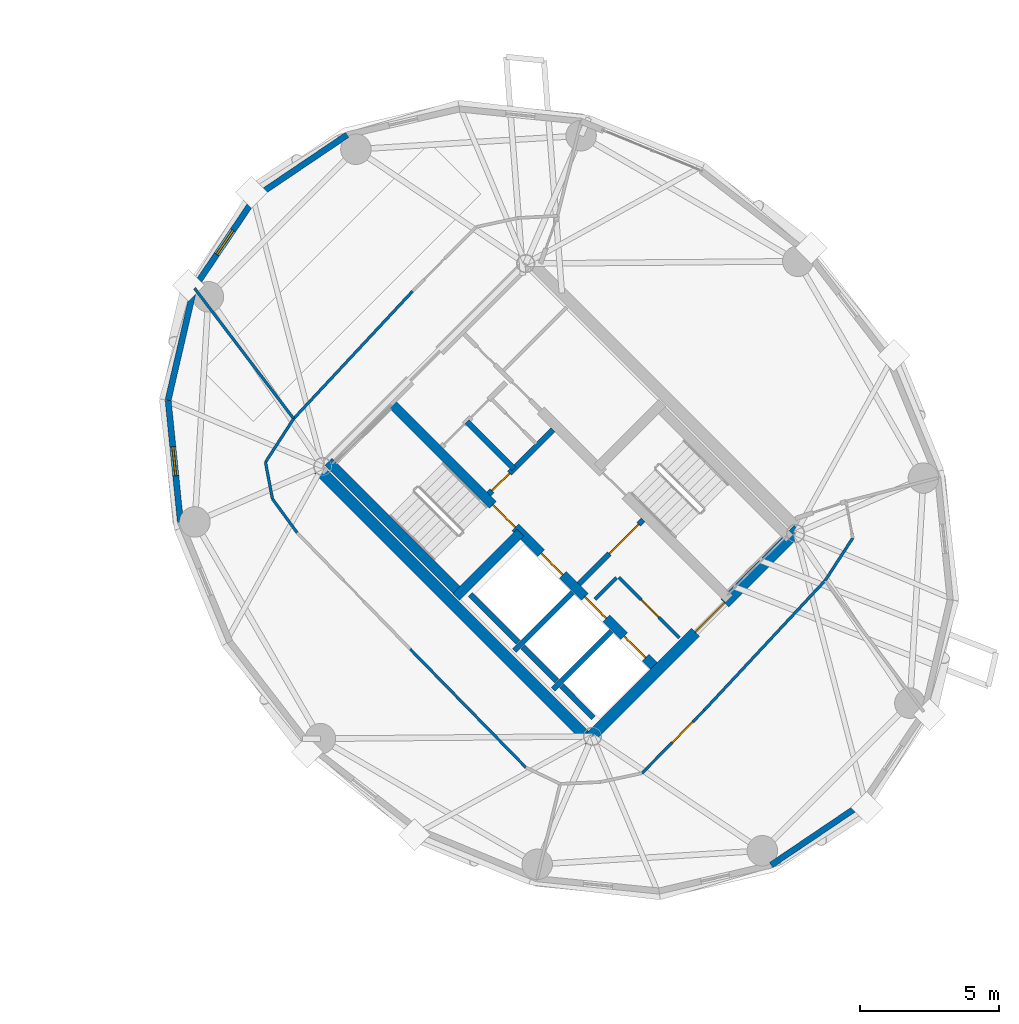
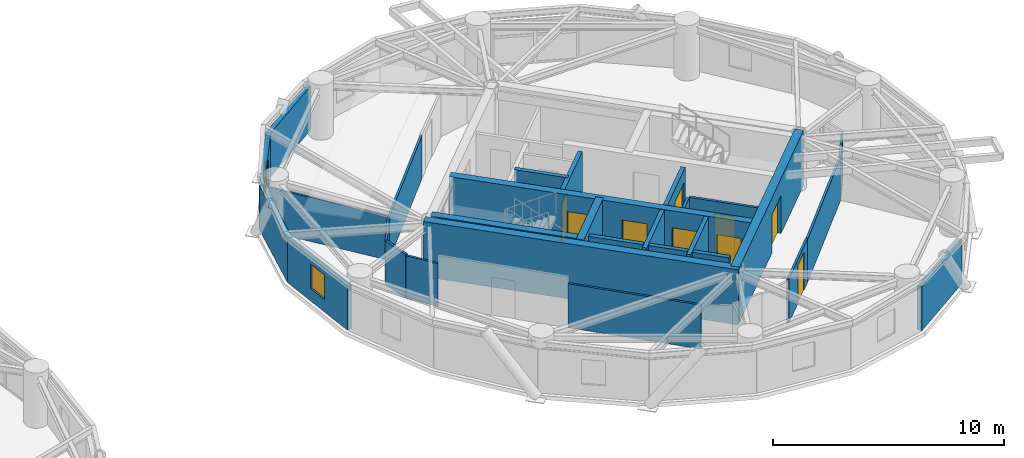
# One storey, part 10 of 14: 29 walls, 9 doors, 2 windows, 11 openings.
"""IFC4 building model written with IfcOpenShell, lengths in metres."""

from ifc_helpers import new_model, si_unit, direction, frame, frame_2d, origin, place, context, subcontext, project, spatial, rectangle, extrude, source, transform, mapped, material, layer, layer_set, type_object, element, fill, save


model = new_model("IFC4")

# Units and contexts
model_context = context("Model", 3, precision=1e-05, world=origin(), true_north=direction((0.0, 1.0)))
body_context = subcontext(model_context, "Body", "Model", "MODEL_VIEW")
ifc_project = project(units=[si_unit("LENGTHUNIT", "METRE"), si_unit("AREAUNIT", "SQUARE_METRE"), si_unit("VOLUMEUNIT", "CUBIC_METRE"), si_unit("PLANEANGLEUNIT", "RADIAN"), si_unit("MASSUNIT", "GRAM", prefix="KILO")], contexts=[model_context])

# Site, building, storey
site_placement = place(None, origin())
site = spatial("IfcSite", under=ifc_project, at=site_placement, CompositionType="ELEMENT")
building_placement = place(site_placement, origin())
building = spatial("IfcBuilding", under=site, at=building_placement, Name="Cununo Teusaquillo Station Towers", CompositionType="ELEMENT")
storey_placement = place(building_placement, frame((0.0, 0.0, 202.47998046875)))
storey = spatial("IfcBuildingStorey", under=building, at=storey_placement, Name="L64", CompositionType="ELEMENT", Elevation=202.47998046875)

# Walls
ifc_material_1 = material(Name="Concrete C50/60", Category="concrete")
ifc_layer_1 = layer(ifc_material_1, 0.199951171875)
ifc_layer_set_1 = layer_set([ifc_layer_1], Name="Concrete C50/60")
wall_type_1 = type_object("IfcWallType", Name="WL-CORE-200", PredefinedType="SHEAR", material=ifc_layer_set_1)
wall_1_placement = place(storey_placement, frame((55.8876953125, 19.0693359375, 0.0), z_axis=(0.0, 0.0, 1.0), x_axis=(0.707106781187, 0.707106781187, 0.0)))
element("IfcWall", 1, at=wall_1_placement, inside=storey, type_object=wall_type_1, Name="L64 Tower B Firefighting Lift Shaft South Shear Wall", PredefinedType="SHEAR", context=body_context, shape_type="SweptSolid", body=[
    extrude(rectangle(XDim=2.969970703125, YDim=0.199951171875, at=frame_2d((1.48486328125, 0.0))), origin(), (0.0, 0.0, 1.0), 2.909912109375),
])
wall_2_placement = place(storey_placement, frame((56.01513671875, 19.366455078125, 0.0), z_axis=(0.0, 0.0, 1.0), x_axis=(-0.707106781187, 0.707106781187, 0.0)))
element("IfcWall", 2, at=wall_2_placement, inside=storey, type_object=wall_type_1, Name="L64 Tower B Firefighting Lift Shaft Rear Shear Wall", PredefinedType="SHEAR", context=body_context, shape_type="SweptSolid", body=[
    extrude(rectangle(XDim=2.43994140625, YDim=0.199951171875, at=frame_2d((1.219970703125, 0.0))), origin(), (0.0, 0.0, 1.0), 2.909912109375),
])
wall_3_placement = place(storey_placement, frame((57.2841796875, 17.6728515625, 0.0), z_axis=(0.0, 0.0, 1.0), x_axis=(0.707147878904, 0.70706568108, 0.0)))
element("IfcWall", 3, at=wall_3_placement, inside=storey, type_object=wall_type_1, Name="L64 Tower B High-Rise Lift Hoistway Divider Shear Wall", PredefinedType="SHEAR", context=body_context, shape_type="SweptSolid", body=[
    extrude(rectangle(XDim=2.97021484375, YDim=0.199951171875, at=frame_2d((1.485107421875, 0.0))), origin(), (0.0, 0.0, 1.0), 2.909912109375),
])
wall_4_placement = place(storey_placement, frame((57.41162109375, 17.969970703125, 0.0), z_axis=(0.0, 0.0, 1.0), x_axis=(-0.707106781187, 0.707106781187, 0.0)))
element("IfcWall", 4, at=wall_4_placement, inside=storey, type_object=wall_type_1, Name="L64 Tower B High-Rise Lift 2 Shaft Rear Shear Wall", PredefinedType="SHEAR", context=body_context, shape_type="SweptSolid", body=[
    extrude(rectangle(XDim=1.73486328125, YDim=0.199951171875, at=frame_2d((0.867431640625, 0.0))), origin(), (0.0, 0.0, 1.0), 2.909912109375),
])
wall_5_placement = place(storey_placement, frame((58.7373046875, 16.64404296875, 0.0), z_axis=(0.0, 0.0, 1.0), x_axis=(-0.707032117043, 0.707181437447, 0.0)))
element("IfcWall", 5, at=wall_5_placement, inside=storey, type_object=wall_type_1, Name="L64 Tower B High-Rise Lift 1 Shaft Rear Shear Wall", PredefinedType="SHEAR", context=body_context, shape_type="SweptSolid", body=[
    extrude(rectangle(XDim=1.635009765625, YDim=0.199951171875, at=frame_2d((0.8173828125, 0.0))), origin(), (0.0, 0.0, 1.0), 2.909912109375),
])

# Wall, openings, doors
ifc_material_2 = material(Name="Concrete C50/60", Category="concrete")
ifc_layer_2 = layer(ifc_material_2, 0.35009765625)
ifc_layer_set_2 = layer_set([ifc_layer_2], Name="Concrete C50/60")
wall_type_2 = type_object("IfcWallType", Name="WL-CORE-350", PredefinedType="SHEAR", material=ifc_layer_set_2)
wall_6_placement = place(storey_placement, frame((61.060302734375, 18.372802734375, 0.0), z_axis=(0.0, 0.0, 1.0), x_axis=(-0.707106781187, 0.707106781187, 0.0)))
wall_6 = element("IfcWall", 6, at=wall_6_placement, inside=storey, type_object=wall_type_2, Name="L64 Tower B Core Shear Wall IW", PredefinedType="SHEAR", context=body_context, shape_type="SweptSolid", body=[
    extrude(rectangle(XDim=13.7001953125, YDim=0.35009765625, at=frame_2d((6.85009765625, 0.0))), origin(), (0.0, 0.0, 1.0), 2.909912109375),
])
shared_shape_1 = source(origin(), body_context, "Body", "SweptSolid", [
    extrude(rectangle(XDim=1.10009765625, YDim=2.014892578125, at=frame_2d((0.550048828125, 1.00732421875))), frame((0.0, 0.18505859375, 0.0), z_axis=(0.0, -1.0, 0.0), x_axis=(1.0, 0.0, 0.0)), (0.0, 0.0, 1.0), 0.3701171875),
])
opening_1_placement = place(wall_6_placement, frame((4.85009765625, 0.0, 0.0)))
opening_1 = element("IfcOpeningElement", 7, at=opening_1_placement, cuts=wall_6, Name="Opening LD-01", PredefinedType="OPENING", context=body_context, shape_type="MappedRepresentation", body=[
    mapped(shared_shape_1, transform((0.0, 0.0, 0.0), x_axis=(1.0, 0.0, 0.0), y_axis=(0.0, 1.0, 0.0), z_axis=(0.0, 0.0, 1.0), scale=1.0)),
])
opening_2_placement = place(wall_6_placement, frame((0.625, 0.0, 0.0)))
opening_2 = element("IfcOpeningElement", 8, at=opening_2_placement, cuts=wall_6, Name="Opening LD-01", PredefinedType="OPENING", context=body_context, shape_type="MappedRepresentation", body=[
    mapped(shared_shape_1, transform((0.0, 0.0, 0.0), x_axis=(1.0, 0.0, 0.0), y_axis=(0.0, 1.0, 0.0), z_axis=(0.0, 0.0, 1.0), scale=1.0)),
])
opening_3_placement = place(wall_6_placement, frame((2.625, 0.0, 0.0)))
opening_3 = element("IfcOpeningElement", 9, at=opening_3_placement, cuts=wall_6, Name="Opening LD-01", PredefinedType="OPENING", context=body_context, shape_type="MappedRepresentation", body=[
    mapped(shared_shape_1, transform((0.0, 0.0, 0.0), x_axis=(1.0, 0.0, 0.0), y_axis=(0.0, 1.0, 0.0), z_axis=(0.0, 0.0, 1.0), scale=1.0)),
])
shared_shape_2 = source(origin(), body_context, "Body", "SweptSolid", [
    extrude(rectangle(XDim=1.14990234375, YDim=2.02001953125, at=frame_2d((0.574951171875, 1.010009765625))), frame((0.0, 0.18505859375, 0.0), z_axis=(0.0, -1.0, 0.0), x_axis=(1.0, 0.0, 0.0)), (0.0, 0.0, 1.0), 0.3701171875),
])
opening_4_placement = place(wall_6_placement, frame((7.27001953125, 0.0, 0.0)))
opening_4 = element("IfcOpeningElement", 10, at=opening_4_placement, cuts=wall_6, Name="Opening D-ST1", PredefinedType="OPENING", context=body_context, shape_type="MappedRepresentation", body=[
    mapped(shared_shape_2, transform((0.0, 0.0, 0.0), x_axis=(1.0, 0.0, 0.0), y_axis=(0.0, 1.0, 0.0), z_axis=(0.0, 0.0, 1.0), scale=1.0)),
])
ifc_material_3 = material(Name="Galvanised fire-rated hollow steel door assembly", Category="steel")
door_type_1 = type_object("IfcDoorType", Name="DR-LIFT-1100", OperationType="SLIDING_TO_LEFT", PredefinedType="DOOR", material=ifc_material_3)
shared_shape_3 = source(origin(), body_context, "Body", "SweptSolid", [
    extrude(rectangle(XDim=1.10009765625, YDim=2.014892578125, at=frame_2d((0.550048828125, 1.00732421875))), frame((0.0, 0.02490234375, 0.0), z_axis=(0.0, -1.0, 0.0), x_axis=(1.0, 0.0, 0.0)), (0.0, 0.0, 1.0), 0.050048828125),
])
door_1_placement = place(opening_1_placement, origin())
door_1 = element("IfcDoor", 11, at=door_1_placement, inside=storey, type_object=door_type_1, Name="L64 Lift FL-T2 Sliding Landing Door", OperationType="SLIDING_TO_RIGHT", OverallHeight=2.014892578125, OverallWidth=1.10009765625, PredefinedType="DOOR", context=body_context, shape_type="MappedRepresentation", body=[
    mapped(shared_shape_3, transform((0.0, 0.0, 0.0), x_axis=(1.0, 0.0, 0.0), y_axis=(0.0, 1.0, 0.0), z_axis=(0.0, 0.0, 1.0), scale=1.0)),
])
fill(opening_1, door_1)
door_2_placement = place(opening_2_placement, origin())
door_2 = element("IfcDoor", 12, at=door_2_placement, inside=storey, type_object=door_type_1, Name="L64 Lift PL-T2-H1 Sliding Landing Door", OperationType="SLIDING_TO_RIGHT", OverallHeight=2.014892578125, OverallWidth=1.10009765625, PredefinedType="DOOR", context=body_context, shape_type="MappedRepresentation", body=[
    mapped(shared_shape_3, transform((0.0, 0.0, 0.0), x_axis=(1.0, 0.0, 0.0), y_axis=(0.0, 1.0, 0.0), z_axis=(0.0, 0.0, 1.0), scale=1.0)),
])
fill(opening_2, door_2)
door_3_placement = place(opening_3_placement, origin())
door_3 = element("IfcDoor", 13, at=door_3_placement, inside=storey, type_object=door_type_1, Name="L64 Lift PL-T2-H2 Sliding Landing Door", OperationType="SLIDING_TO_LEFT", OverallHeight=2.014892578125, OverallWidth=1.10009765625, PredefinedType="DOOR", context=body_context, shape_type="MappedRepresentation", body=[
    mapped(shared_shape_3, transform((0.0, 0.0, 0.0), x_axis=(1.0, 0.0, 0.0), y_axis=(0.0, 1.0, 0.0), z_axis=(0.0, 0.0, 1.0), scale=1.0)),
])
fill(opening_3, door_3)
ifc_material_4 = material(Name="Galvanised fire-rated hollow steel door assembly", Category="steel")
door_type_2 = type_object("IfcDoorType", Name="DR-STAIR-1150", OperationType="NOTDEFINED", PredefinedType="DOOR", material=ifc_material_4)
shared_shape_4 = source(origin(), body_context, "Body", "SweptSolid", [
    extrude(rectangle(XDim=1.14990234375, YDim=2.02001953125, at=frame_2d((0.574951171875, 1.010009765625))), frame((0.0, 0.02490234375, 0.0), z_axis=(0.0, -1.0, 0.0), x_axis=(1.0, 0.0, 0.0)), (0.0, 0.0, 1.0), 0.050048828125),
])
door_4_placement = place(opening_4_placement, origin())
door_4 = element("IfcDoor", 14, at=door_4_placement, inside=storey, type_object=door_type_2, Name="L64 Tower B Exit Stair 1 Fire Door", OperationType="SINGLE_SWING_LEFT", OverallHeight=2.02001953125, OverallWidth=1.14990234375, PredefinedType="DOOR", context=body_context, shape_type="MappedRepresentation", body=[
    mapped(shared_shape_4, transform((0.0, 0.0, 0.0), x_axis=(1.0, 0.0, 0.0), y_axis=(0.0, 1.0, 0.0), z_axis=(0.0, 0.0, 1.0), scale=1.0)),
])
fill(opening_4, door_4)

# Walls
wall_7_placement = place(storey_placement, frame((53.922119140625, 21.14111328125, 0.0), z_axis=(0.0, 0.0, 1.0), x_axis=(-0.707106781187, 0.707106781187, 0.0)))
element("IfcWall", 15, at=wall_7_placement, inside=storey, type_object=wall_type_2, Name="L64 Tower B Core Shear Wall ST1W", PredefinedType="SHEAR", context=body_context, shape_type="SweptSolid", body=[
    extrude(rectangle(XDim=6.695068359375, YDim=0.35009765625, at=frame_2d((3.34765625, 0.0))), origin(), (0.0, 0.0, 1.0), 2.909912109375),
])
wall_8_placement = place(storey_placement, frame((53.7841796875, 21.00341796875, 0.0), z_axis=(0.0, 0.0, 1.0), x_axis=(0.707106781187, 0.707106781187, 0.0)))
element("IfcWall", 16, at=wall_8_placement, inside=storey, type_object=wall_type_2, Name="L64 Tower B Core Shear Wall ST1S", PredefinedType="SHEAR", context=body_context, shape_type="SweptSolid", body=[
    extrude(rectangle(XDim=3.284912109375, YDim=0.35009765625, at=frame_2d((1.642578125, 0.0))), origin(), (0.0, 0.0, 1.0), 2.909912109375),
])
ifc_material_5 = material(Name="Concrete C50/60", Category="concrete")
ifc_layer_3 = layer(ifc_material_5, 0.39990234375)
ifc_layer_set_3 = layer_set([ifc_layer_3], Name="Concrete C50/60")
wall_type_3 = type_object("IfcWallType", Name="WL-CORE-400", PredefinedType="SHEAR", material=ifc_layer_set_3)
wall_9_placement = place(storey_placement, frame((58.7021484375, 15.73193359375, 0.0), z_axis=(0.0, 0.0, 1.0), x_axis=(-0.707106781187, 0.707106781187, 0.0)))
element("IfcWall", 17, at=wall_9_placement, inside=storey, type_object=wall_type_3, Name="L64 Tower B Core Shear Wall W", PredefinedType="SHEAR", context=body_context, shape_type="SweptSolid", body=[
    extrude(rectangle(XDim=14.10009765625, YDim=0.39990234375, at=frame_2d((7.050048828125, 0.0))), origin(), (0.0, 0.0, 1.0), 2.909912109375),
])

# Wall, opening, door
wall_10_placement = place(storey_placement, frame((58.560791015625, 15.873291015625, 0.0), z_axis=(0.0, 0.0, 1.0), x_axis=(0.707106781187, 0.707106781187, 0.0)))
wall_10 = element("IfcWall", 18, at=wall_10_placement, inside=storey, type_object=wall_type_3, Name="L64 Tower B Core Shear Wall S", PredefinedType="SHEAR", context=body_context, shape_type="SweptSolid", body=[
    extrude(rectangle(XDim=10.69970703125, YDim=0.39990234375, at=frame_2d((5.349853515625, 0.0))), origin(), (0.0, 0.0, 1.0), 2.909912109375),
])
shared_shape_5 = source(origin(), body_context, "Body", "SweptSolid", [
    extrude(rectangle(XDim=1.5, YDim=2.02001953125, at=frame_2d((0.75, 1.010009765625))), frame((0.0, 0.2099609375, 0.0), z_axis=(0.0, -1.0, 0.0), x_axis=(1.0, 0.0, 0.0)), (0.0, 0.0, 1.0), 0.419921875),
])
opening_5_placement = place(wall_10_placement, frame((5.449951171875, 0.0, 0.0)))
opening_5 = element("IfcOpeningElement", 19, at=opening_5_placement, cuts=wall_10, Name="Opening D-LB1", PredefinedType="OPENING", context=body_context, shape_type="MappedRepresentation", body=[
    mapped(shared_shape_5, transform((0.0, 0.0, 0.0), x_axis=(1.0, 0.0, 0.0), y_axis=(0.0, 1.0, 0.0), z_axis=(0.0, 0.0, 1.0), scale=1.0)),
])
ifc_material_6 = material(Name="Galvanised fire-rated hollow steel door assembly", Category="steel")
door_type_3 = type_object("IfcDoorType", Name="DR-LOBBY-1500", OperationType="DOUBLE_DOOR_SINGLE_SWING", PredefinedType="DOOR", material=ifc_material_6)
shared_shape_6 = source(origin(), body_context, "Body", "SweptSolid", [
    extrude(rectangle(XDim=1.5, YDim=2.02001953125, at=frame_2d((0.75, 1.010009765625))), frame((0.0, 0.02490234375, 0.0), z_axis=(0.0, -1.0, 0.0), x_axis=(1.0, 0.0, 0.0)), (0.0, 0.0, 1.0), 0.050048828125),
])
door_5_placement = place(opening_5_placement, origin())
door_5 = element("IfcDoor", 20, at=door_5_placement, inside=storey, type_object=door_type_3, Name="L64 Tower B South Core Lift Lobby Door", OperationType="DOUBLE_DOOR_SINGLE_SWING", OverallHeight=2.02001953125, OverallWidth=1.5, PredefinedType="DOOR", context=body_context, shape_type="MappedRepresentation", body=[
    mapped(shared_shape_6, transform((0.0, 0.0, 0.0), x_axis=(1.0, 0.0, 0.0), y_axis=(0.0, 1.0, 0.0), z_axis=(0.0, 0.0, 1.0), scale=1.0)),
])
fill(opening_5, door_5)

# Wall
ifc_material_7 = material(Name="Precast concrete C40/50", Category="concrete")
ifc_layer_4 = layer(ifc_material_7, 0.219970703125)
ifc_layer_set_4 = layer_set([ifc_layer_4], Name="Precast concrete C40/50")
wall_type_4 = type_object("IfcWallType", Name="WL-EXT-220", PredefinedType="SOLIDWALL", material=ifc_layer_set_4)
wall_11_placement = place(storey_placement, frame((46.56103515625, 35.43896484375, 0.0), z_axis=(0.0, 0.0, 1.0), x_axis=(0.828833723692, 0.559495003079, 0.0)))
element("IfcWall", 21, at=wall_11_placement, inside=storey, type_object=wall_type_4, Name="L64 Tower B Exterior Facade Wall C04", PredefinedType="SOLIDWALL", context=body_context, shape_type="SweptSolid", body=[
    extrude(rectangle(XDim=3.9755859375, YDim=0.219970703125, at=frame_2d((1.98779296875, 0.0))), origin(), (0.0, 0.0, 1.0), 2.322021484375),
])

# Wall, opening, window
wall_12_placement = place(storey_placement, frame((44.336669921875, 32.143798828125, 0.0), z_axis=(0.0, 0.0, 1.0), x_axis=(0.559495003079, 0.828833723692, 0.0)))
wall_12 = element("IfcWall", 22, at=wall_12_placement, inside=storey, type_object=wall_type_4, Name="L64 Tower B Exterior Facade Wall C05", PredefinedType="SOLIDWALL", context=body_context, shape_type="SweptSolid", body=[
    extrude(rectangle(XDim=3.9755859375, YDim=0.219970703125, at=frame_2d((1.98779296875, 0.0))), origin(), (0.0, 0.0, 1.0), 2.322021484375),
])
shared_shape_7 = source(origin(), body_context, "Body", "SweptSolid", [
    extrude(rectangle(XDim=1.050048828125, YDim=1.300048828125, at=frame_2d((0.52490234375, 0.64990234375))), frame((0.0, 0.119873046875, 0.0), z_axis=(0.0, -1.0, 0.0), x_axis=(1.0, 0.0, 0.0)), (0.0, 0.0, 1.0), 0.239990234375),
])
opening_6_placement = place(wall_12_placement, frame((1.462890625, 0.0, 0.64990234375)))
opening_6 = element("IfcOpeningElement", 23, at=opening_6_placement, cuts=wall_12, Name="Opening WN-04", PredefinedType="OPENING", context=body_context, shape_type="MappedRepresentation", body=[
    mapped(shared_shape_7, transform((0.0, 0.0, 0.0), x_axis=(1.0, 0.0, 0.0), y_axis=(0.0, 1.0, 0.0), z_axis=(0.0, 0.0, 1.0), scale=1.0)),
])
ifc_material_8 = material(Name="Operable acoustic tinted low-E double glazing", Category="glass")
window_type = type_object("IfcWindowType", Name="WIN-BAL-1050", PartitioningType="SINGLE_PANEL", PredefinedType="WINDOW", material=ifc_material_8)
shared_shape_8 = source(origin(), body_context, "Body", "SweptSolid", [
    extrude(rectangle(XDim=1.050048828125, YDim=1.300048828125, at=frame_2d((0.52490234375, 0.64990234375))), frame((0.0, 0.030029296875, 0.0), z_axis=(0.0, -1.0, 0.0), x_axis=(1.0, 0.0, 0.0)), (0.0, 0.0, 1.0), 0.06005859375),
])
window_1_placement = place(opening_6_placement, origin())
window_1 = element("IfcWindow", 24, at=window_1_placement, inside=storey, type_object=window_type, Name="L64 Tower B Facade Window C05", OverallHeight=1.300048828125, OverallWidth=1.050048828125, PartitioningType="SINGLE_PANEL", PredefinedType="WINDOW", context=body_context, shape_type="MappedRepresentation", body=[
    mapped(shared_shape_8, transform((0.0, 0.0, 0.0), x_axis=(1.0, 0.0, 0.0), y_axis=(0.0, 1.0, 0.0), z_axis=(0.0, 0.0, 1.0), scale=1.0)),
])
fill(opening_6, window_1)

# Wall
wall_13_placement = place(storey_placement, frame((43.40087890625, 28.100341796875, 0.0), z_axis=(0.0, 0.0, 1.0), x_axis=(0.225473813158, 0.974249228678, 0.0)))
element("IfcWall", 25, at=wall_13_placement, inside=storey, type_object=wall_type_4, Name="L64 Tower B Exterior Facade Wall C06", PredefinedType="SOLIDWALL", context=body_context, shape_type="SweptSolid", body=[
    extrude(rectangle(XDim=4.150390625, YDim=0.219970703125, at=frame_2d((2.0751953125, 0.0))), origin(), (0.0, 0.0, 1.0), 2.322021484375),
])

# Wall, opening, window
wall_14_placement = place(storey_placement, frame((43.84521484375, 23.70458984375, 0.0), z_axis=(0.0, 0.0, 1.0), x_axis=(-0.100570534541, 0.994929930991, 0.0)))
wall_14 = element("IfcWall", 26, at=wall_14_placement, inside=storey, type_object=wall_type_4, Name="L64 Tower B Exterior Facade Wall C07", PredefinedType="SOLIDWALL", context=body_context, shape_type="SweptSolid", body=[
    extrude(rectangle(XDim=4.418212890625, YDim=0.219970703125, at=frame_2d((2.208984375, 0.0))), origin(), (0.0, 0.0, 1.0), 2.322021484375),
])
opening_7_placement = place(wall_14_placement, frame((1.68408203125, 0.0, 0.64990234375)))
opening_7 = element("IfcOpeningElement", 27, at=opening_7_placement, cuts=wall_14, Name="Opening WN-04", PredefinedType="OPENING", context=body_context, shape_type="MappedRepresentation", body=[
    mapped(shared_shape_7, transform((0.0, 0.0, 0.0), x_axis=(1.0, 0.0, 0.0), y_axis=(0.0, 1.0, 0.0), z_axis=(0.0, 0.0, 1.0), scale=1.0)),
])
window_2_placement = place(opening_7_placement, origin())
window_2 = element("IfcWindow", 28, at=window_2_placement, inside=storey, type_object=window_type, Name="L64 Tower B Facade Window C07", OverallHeight=1.300048828125, OverallWidth=1.050048828125, PartitioningType="SINGLE_PANEL", PredefinedType="WINDOW", context=body_context, shape_type="MappedRepresentation", body=[
    mapped(shared_shape_8, transform((0.0, 0.0, 0.0), x_axis=(1.0, 0.0, 0.0), y_axis=(0.0, 1.0, 0.0), z_axis=(0.0, 0.0, 1.0), scale=1.0)),
])
fill(opening_7, window_2)

# Walls
wall_15_placement = place(storey_placement, frame((68.43896484375, 13.56103515625, 0.0), z_axis=(0.0, 0.0, 1.0), x_axis=(-0.828833723692, -0.559495003079, 0.0)))
element("IfcWall", 29, at=wall_15_placement, inside=storey, type_object=wall_type_4, Name="L64 Tower B Exterior Facade Wall C14", PredefinedType="SOLIDWALL", context=body_context, shape_type="SweptSolid", body=[
    extrude(rectangle(XDim=3.9755859375, YDim=0.219970703125, at=frame_2d((1.98779296875, 0.0))), origin(), (0.0, 0.0, 1.0), 2.322021484375),
])
ifc_material_9 = material(Name="Fire-rated gypsum plasterboard partition assembly", Category="gypsum")
ifc_layer_5 = layer(ifc_material_9, 0.10009765625)
ifc_layer_set_5 = layer_set([ifc_layer_5], Name="Fire-rated gypsum plasterboard partition assembly")
wall_type_5 = type_object("IfcWallType", Name="WL-PART-100", PredefinedType="MOVABLE", material=ifc_layer_set_5)
wall_16_placement = place(storey_placement, frame((52.21240234375, 32.0244140625, 0.0), z_axis=(0.0, 0.0, 1.0), x_axis=(-0.682158998173, -0.731203871169, 0.0)))
element("IfcWall", 30, at=wall_16_placement, inside=storey, type_object=wall_type_5, Name="L64 Tower B Corridor Ring Wall C05", PredefinedType="MOVABLE", context=body_context, shape_type="SweptSolid", body=[
    extrude(rectangle(XDim=6.2822265625, YDim=0.10009765625, at=frame_2d((3.14111328125, 0.0))), origin(), (0.0, 0.0, 1.0), 2.255126953125),
])
wall_17_placement = place(storey_placement, frame((47.927001953125, 27.430908203125, 0.0), z_axis=(0.0, 0.0, 1.0), x_axis=(-0.543126643356, -0.839650790077, 0.0)))
element("IfcWall", 31, at=wall_17_placement, inside=storey, type_object=wall_type_5, Name="L64 Tower B Corridor Ring Wall C06", PredefinedType="MOVABLE", context=body_context, shape_type="SweptSolid", body=[
    extrude(rectangle(XDim=1.8681640625, YDim=0.10009765625, at=frame_2d((0.93408203125, 0.0))), origin(), (0.0, 0.0, 1.0), 2.255126953125),
])
wall_18_placement = place(storey_placement, frame((46.912353515625, 25.8623046875, 0.0), z_axis=(0.0, 0.0, 1.0), x_axis=(0.186095172215, -0.98253172309, 0.0)))
element("IfcWall", 32, at=wall_18_placement, inside=storey, type_object=wall_type_5, Name="L64 Tower B Corridor Ring Wall C07", PredefinedType="MOVABLE", context=body_context, shape_type="SweptSolid", body=[
    extrude(rectangle(XDim=1.345947265625, YDim=0.10009765625, at=frame_2d((0.6728515625, 0.0))), origin(), (0.0, 0.0, 1.0), 2.322021484375),
])
wall_19_placement = place(storey_placement, frame((47.162841796875, 24.539794921875, 0.0), z_axis=(0.0, 0.0, 1.0), x_axis=(0.589711902124, -0.807613690135, 0.0)))
element("IfcWall", 33, at=wall_19_placement, inside=storey, type_object=wall_type_5, Name="L64 Tower B Corridor Ring Wall C08", PredefinedType="MOVABLE", context=body_context, shape_type="SweptSolid", body=[
    extrude(rectangle(XDim=1.507080078125, YDim=0.10009765625, at=frame_2d((0.75341796875, 0.0))), origin(), (0.0, 0.0, 1.0), 2.255126953125),
])
wall_20_placement = place(storey_placement, frame((52.1259765625, 19.1259765625, 0.0), z_axis=(0.0, 0.0, 1.0), x_axis=(0.698979087027, -0.715142108884, 0.0)))
element("IfcWall", 34, at=wall_20_placement, inside=storey, type_object=wall_type_5, Name="L64 Tower B Corridor Ring Wall C10", PredefinedType="MOVABLE", context=body_context, shape_type="SweptSolid", body=[
    extrude(rectangle(XDim=5.96630859375, YDim=0.10009765625, at=frame_2d((2.983154296875, 0.0))), origin(), (0.0, 0.0, 1.0), 2.322021484375),
])

# Wall, opening, door
wall_21_placement = place(storey_placement, frame((60.48388671875, 14.6484375, 0.0), z_axis=(0.0, 0.0, 1.0), x_axis=(0.703398221944, 0.710795991383, 0.0)))
wall_21 = element("IfcWall", 35, at=wall_21_placement, inside=storey, type_object=wall_type_5, Name="L64 Tower B Corridor Ring Wall C14", PredefinedType="MOVABLE", context=body_context, shape_type="SweptSolid", body=[
    extrude(rectangle(XDim=3.201171875, YDim=0.10009765625, at=frame_2d((1.6005859375, 0.0))), origin(), (0.0, 0.0, 1.0), 2.322021484375),
])
shared_shape_9 = source(origin(), body_context, "Body", "SweptSolid", [
    extrude(rectangle(XDim=1.050048828125, YDim=2.014892578125, at=frame_2d((0.52490234375, 1.00732421875))), frame((0.0, 0.06005859375, 0.0), z_axis=(0.0, -1.0, 0.0), x_axis=(1.0, 0.0, 0.0)), (0.0, 0.0, 1.0), 0.1201171875),
])
opening_8_placement = place(wall_21_placement, frame((1.553466796875, 0.0, 0.0)))
opening_8 = element("IfcOpeningElement", 36, at=opening_8_placement, cuts=wall_21, Name="Opening D-SU1", PredefinedType="OPENING", context=body_context, shape_type="MappedRepresentation", body=[
    mapped(shared_shape_9, transform((0.0, 0.0, 0.0), x_axis=(1.0, 0.0, 0.0), y_axis=(0.0, 1.0, 0.0), z_axis=(0.0, 0.0, 1.0), scale=1.0)),
])
ifc_material_10 = material(Name="Acoustic solid-core hardwood leaf assembly", Category="wood")
door_type_4 = type_object("IfcDoorType", Name="DR-SUITE-1050", OperationType="NOTDEFINED", PredefinedType="DOOR", material=ifc_material_10)
shared_shape_10 = source(origin(), body_context, "Body", "SweptSolid", [
    extrude(rectangle(XDim=1.050048828125, YDim=2.014892578125, at=frame_2d((0.52490234375, 1.00732421875))), frame((0.0, 0.02490234375, 0.0), z_axis=(0.0, -1.0, 0.0), x_axis=(1.0, 0.0, 0.0)), (0.0, 0.0, 1.0), 0.050048828125),
])
door_6_placement = place(opening_8_placement, origin())
door_6 = element("IfcDoor", 37, at=door_6_placement, inside=storey, type_object=door_type_4, Name="L64 Tower B Summit Client Reception Salon Entrance Door", OperationType="SINGLE_SWING_RIGHT", OverallHeight=2.014892578125, OverallWidth=1.050048828125, PredefinedType="DOOR", context=body_context, shape_type="MappedRepresentation", body=[
    mapped(shared_shape_10, transform((0.0, 0.0, 0.0), x_axis=(1.0, 0.0, 0.0), y_axis=(0.0, 1.0, 0.0), z_axis=(0.0, 0.0, 1.0), scale=1.0)),
])
fill(opening_8, door_6)

# Walls
wall_22_placement = place(storey_placement, frame((62.735595703125, 16.923828125, 0.0), z_axis=(0.0, 0.0, 1.0), x_axis=(0.681946700833, 0.731401871219, 0.0)))
element("IfcWall", 38, at=wall_22_placement, inside=storey, type_object=wall_type_5, Name="L64 Tower B Corridor Ring Wall C15", PredefinedType="MOVABLE", context=body_context, shape_type="SweptSolid", body=[
    extrude(rectangle(XDim=6.392822265625, YDim=0.10009765625, at=frame_2d((3.1962890625, 0.0))), origin(), (0.0, 0.0, 1.0), 2.255126953125),
])
wall_23_placement = place(storey_placement, frame((67.09521484375, 21.599609375, 0.0), z_axis=(0.0, 0.0, 1.0), x_axis=(0.543773190184, 0.839232219137, 0.0)))
element("IfcWall", 39, at=wall_23_placement, inside=storey, type_object=wall_type_5, Name="L64 Tower B Corridor Ring Wall C16", PredefinedType="MOVABLE", context=body_context, shape_type="SweptSolid", body=[
    extrude(rectangle(XDim=1.82275390625, YDim=0.10009765625, at=frame_2d((0.911376953125, 0.0))), origin(), (0.0, 0.0, 1.0), 2.255126953125),
])
wall_24_placement = place(storey_placement, frame((47.927001953125, 27.430908203125, 0.0), z_axis=(0.0, 0.0, 1.0), x_axis=(-0.604823333103, 0.796359677366, 0.0)))
element("IfcWall", 40, at=wall_24_placement, inside=storey, type_object=wall_type_5, Name="L64 Tower B Radial Suite Partition R02", PredefinedType="MOVABLE", context=body_context, shape_type="SweptSolid", body=[
    extrude(rectangle(XDim=5.90673828125, YDim=0.10009765625, at=frame_2d((2.953369140625, 0.0))), origin(), (0.0, 0.0, 1.0), 2.322021484375),
])

# Wall, opening, door
ifc_material_11 = material(Name="Fire-rated gypsum plasterboard partition assembly", Category="gypsum")
ifc_layer_6 = layer(ifc_material_11, 0.125)
ifc_layer_set_6 = layer_set([ifc_layer_6], Name="Fire-rated gypsum plasterboard partition assembly")
wall_type_6 = type_object("IfcWallType", Name="WL-PART-125", PredefinedType="PARTITIONING", material=ifc_layer_set_6)
wall_25_placement = place(storey_placement, frame((61.834716796875, 19.529052734375, 0.0), z_axis=(0.0, 0.0, 1.0), x_axis=(-0.707146413884, 0.707067146267, 0.0)))
wall_25 = element("IfcWall", 41, at=wall_25_placement, inside=storey, type_object=wall_type_6, Name="L64 Tower B South-West Tall Store East Wall", PredefinedType="PARTITIONING", context=body_context, shape_type="SweptSolid", body=[
    extrude(rectangle(XDim=3.079833984375, YDim=0.125, at=frame_2d((1.5400390625, 0.0))), origin(), (0.0, 0.0, 1.0), 2.68505859375),
])
shared_shape_11 = source(origin(), body_context, "Body", "SweptSolid", [
    extrude(rectangle(XDim=0.89990234375, YDim=2.0048828125, at=frame_2d((0.449951171875, 1.00244140625))), frame((0.0, 0.072509765625, 0.0), z_axis=(0.0, -1.0, 0.0), x_axis=(1.0, 0.0, 0.0)), (0.0, 0.0, 1.0), 0.14501953125),
])
opening_9_placement = place(wall_25_placement, frame((1.050048828125, 0.0, 0.0)))
opening_9 = element("IfcOpeningElement", 42, at=opening_9_placement, cuts=wall_25, Name="Opening D-SR1", PredefinedType="OPENING", context=body_context, shape_type="MappedRepresentation", body=[
    mapped(shared_shape_11, transform((0.0, 0.0, 0.0), x_axis=(1.0, 0.0, 0.0), y_axis=(0.0, 1.0, 0.0), z_axis=(0.0, 0.0, 1.0), scale=1.0)),
])
ifc_material_12 = material(Name="Galvanised fire-rated hollow steel door assembly", Category="steel")
door_type_5 = type_object("IfcDoorType", Name="DR-STORE-900", OperationType="NOTDEFINED", PredefinedType="DOOR", material=ifc_material_12)
shared_shape_12 = source(origin(), body_context, "Body", "SweptSolid", [
    extrude(rectangle(XDim=0.89990234375, YDim=2.0048828125, at=frame_2d((0.449951171875, 1.00244140625))), frame((0.0, 0.02490234375, 0.0), z_axis=(0.0, -1.0, 0.0), x_axis=(1.0, 0.0, 0.0)), (0.0, 0.0, 1.0), 0.050048828125),
])
door_7_placement = place(opening_9_placement, origin())
door_7 = element("IfcDoor", 43, at=door_7_placement, inside=storey, type_object=door_type_5, Name="L64 Tower B South Cleaners Store Door", OperationType="SINGLE_SWING_LEFT", OverallHeight=2.0048828125, OverallWidth=0.89990234375, PredefinedType="DOOR", context=body_context, shape_type="MappedRepresentation", body=[
    mapped(shared_shape_12, transform((0.0, 0.0, 0.0), x_axis=(1.0, 0.0, 0.0), y_axis=(0.0, 1.0, 0.0), z_axis=(0.0, 0.0, 1.0), scale=1.0)),
])
fill(opening_9, door_7)

# Wall
wall_26_placement = place(storey_placement, frame((58.7939453125, 20.9150390625, 0.0), z_axis=(0.0, 0.0, 1.0), x_axis=(0.707106781187, 0.707106781187, 0.0)))
element("IfcWall", 44, at=wall_26_placement, inside=storey, type_object=wall_type_6, Name="L64 Tower B South-West Tall Store North Wall", PredefinedType="PARTITIONING", context=body_context, shape_type="SweptSolid", body=[
    extrude(rectangle(XDim=1.10009765625, YDim=0.125, at=frame_2d((0.550048828125, 0.0))), origin(), (0.0, 0.0, 1.0), 2.68505859375),
])

# Wall, opening, door
ifc_material_13 = material(Name="Fire-rated gypsum plasterboard partition assembly", Category="gypsum")
ifc_layer_7 = layer(ifc_material_13, 0.199951171875)
ifc_layer_set_7 = layer_set([ifc_layer_7], Name="Fire-rated gypsum plasterboard partition assembly")
wall_type_7 = type_object("IfcWallType", Name="WL-PART-200", PredefinedType="PARTITIONING", material=ifc_layer_set_7)
wall_27_placement = place(storey_placement, frame((58.214111328125, 21.466552734375, 0.0), z_axis=(0.0, 0.0, 1.0), x_axis=(0.707106781187, 0.707106781187, 0.0)))
wall_27 = element("IfcWall", 45, at=wall_27_placement, inside=storey, type_object=wall_type_7, Name="L64 Tower B Firefighting Lift Lobby South Fire Wall", PredefinedType="PARTITIONING", context=body_context, shape_type="SweptSolid", body=[
    extrude(rectangle(XDim=3.280029296875, YDim=0.199951171875, at=frame_2d((1.64013671875, 0.0))), origin(), (0.0, 0.0, 1.0), 2.68505859375),
])
shared_shape_13 = source(origin(), body_context, "Body", "SweptSolid", [
    extrude(rectangle(XDim=1.5, YDim=2.02001953125, at=frame_2d((0.75, 1.010009765625))), frame((0.0, 0.10986328125, 0.0), z_axis=(0.0, -1.0, 0.0), x_axis=(1.0, 0.0, 0.0)), (0.0, 0.0, 1.0), 0.219970703125),
])
opening_10_placement = place(wall_27_placement, frame((1.550048828125, 0.0, 0.0)))
opening_10 = element("IfcOpeningElement", 46, at=opening_10_placement, cuts=wall_27, Name="Opening D-LB1", PredefinedType="OPENING", context=body_context, shape_type="MappedRepresentation", body=[
    mapped(shared_shape_13, transform((0.0, 0.0, 0.0), x_axis=(1.0, 0.0, 0.0), y_axis=(0.0, 1.0, 0.0), z_axis=(0.0, 0.0, 1.0), scale=1.0)),
])
door_8_placement = place(opening_10_placement, origin())
door_8 = element("IfcDoor", 47, at=door_8_placement, inside=storey, type_object=door_type_3, Name="L64 Tower B Firefighting Lift Lobby South Fire Door", OperationType="DOUBLE_DOOR_SINGLE_SWING", OverallHeight=2.02001953125, OverallWidth=1.5, PredefinedType="DOOR", context=body_context, shape_type="MappedRepresentation", body=[
    mapped(shared_shape_6, transform((0.0, 0.0, 0.0), x_axis=(1.0, 0.0, 0.0), y_axis=(0.0, 1.0, 0.0), z_axis=(0.0, 0.0, 1.0), scale=1.0)),
])
fill(opening_10, door_8)

wall_28_placement = place(storey_placement, frame((54.96142578125, 24.71923828125, 0.0), z_axis=(0.0, 0.0, 1.0), x_axis=(0.707106781187, 0.707106781187, 0.0)))
wall_28 = element("IfcWall", 48, at=wall_28_placement, inside=storey, type_object=wall_type_7, Name="L64 Tower B Firefighting Lift Lobby North Fire Wall", PredefinedType="PARTITIONING", context=body_context, shape_type="SweptSolid", body=[
    extrude(rectangle(XDim=3.280029296875, YDim=0.199951171875, at=frame_2d((1.64013671875, 0.0))), origin(), (0.0, 0.0, 1.0), 2.68505859375),
])
shared_shape_14 = source(origin(), body_context, "Body", "SweptSolid", [
    extrude(rectangle(XDim=0.89990234375, YDim=2.0048828125, at=frame_2d((0.449951171875, 1.00244140625))), frame((0.0, 0.10986328125, 0.0), z_axis=(0.0, -1.0, 0.0), x_axis=(1.0, 0.0, 0.0)), (0.0, 0.0, 1.0), 0.219970703125),
])
opening_11_placement = place(wall_28_placement, frame((0.159912109375, 0.0, 0.0)))
opening_11 = element("IfcOpeningElement", 49, at=opening_11_placement, cuts=wall_28, Name="Opening D-SR1", PredefinedType="OPENING", context=body_context, shape_type="MappedRepresentation", body=[
    mapped(shared_shape_14, transform((0.0, 0.0, 0.0), x_axis=(1.0, 0.0, 0.0), y_axis=(0.0, 1.0, 0.0), z_axis=(0.0, 0.0, 1.0), scale=1.0)),
])
door_9_placement = place(opening_11_placement, origin())
door_9 = element("IfcDoor", 50, at=door_9_placement, inside=storey, type_object=door_type_5, Name="L64 Tower B Stair 1 Protected Vestibule South Door", OperationType="SINGLE_SWING_LEFT", OverallHeight=2.0048828125, OverallWidth=0.89990234375, PredefinedType="DOOR", context=body_context, shape_type="MappedRepresentation", body=[
    mapped(shared_shape_12, transform((0.0, 0.0, 0.0), x_axis=(1.0, 0.0, 0.0), y_axis=(0.0, 1.0, 0.0), z_axis=(0.0, 0.0, 1.0), scale=1.0)),
])
fill(opening_11, door_9)

# Wall
wall_29_placement = place(storey_placement, frame((55.873779296875, 25.63134765625, 0.0), z_axis=(0.0, 0.0, 1.0), x_axis=(-0.707157639372, 0.707055919343, 0.0)))
element("IfcWall", 51, at=wall_29_placement, inside=storey, type_object=wall_type_7, Name="L64 Tower B Stair 1 Vestibule Partition Wall", PredefinedType="PARTITIONING", context=body_context, shape_type="SweptSolid", body=[
    extrude(rectangle(XDim=2.400146484375, YDim=0.199951171875, at=frame_2d((1.2001953125, 0.0))), origin(), (0.0, 0.0, 1.0), 2.68505859375),
])

save(model, "model.ifc")
